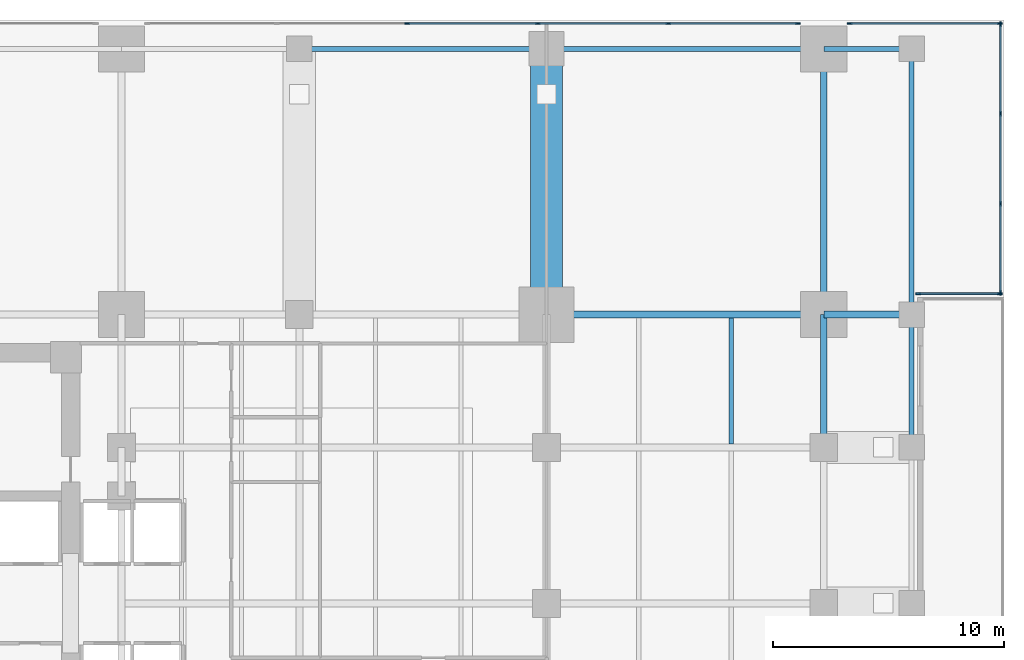
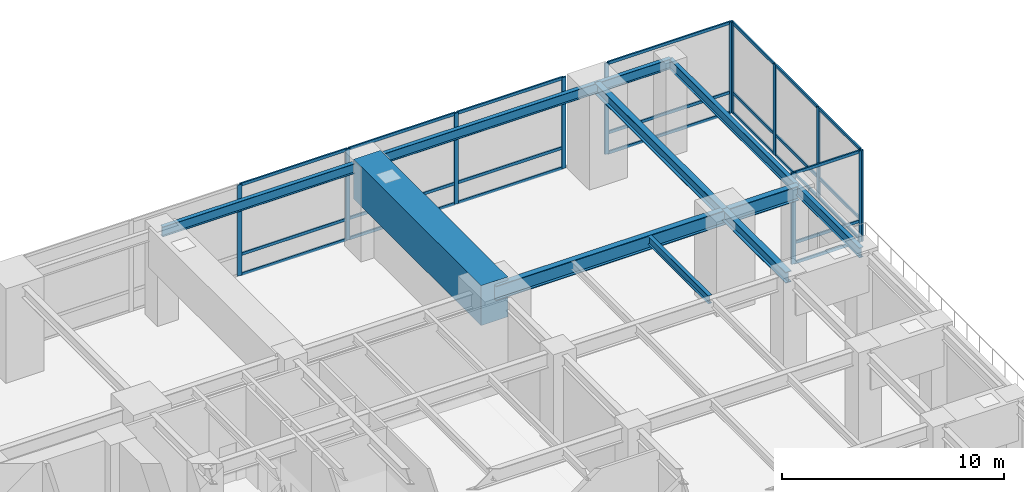
# One storey, part 6 of 14: 36 members, 11 beams, 4 elements without a shape of their own.
"""IFC4 building model written with IfcOpenShell, lengths in metres."""

from ifc_helpers import new_model, si_unit, direction, frame, origin, origin_2d, place, context, subcontext, project, spatial, rectangle, i_section, extrude, material, layer, layer_set, material_profile, profile_set, type_object, element, aggregate, save


model = new_model("IFC4")

# Units and contexts
model_context = context("Model", 3, precision=1e-05, world=origin(), true_north=direction((0.0, 1.0)))
body_context = subcontext(model_context, "Body", "Model", "MODEL_VIEW")
ifc_project = project(units=[si_unit("LENGTHUNIT", "METRE"), si_unit("AREAUNIT", "SQUARE_METRE"), si_unit("VOLUMEUNIT", "CUBIC_METRE"), si_unit("PLANEANGLEUNIT", "RADIAN"), si_unit("MASSUNIT", "GRAM", prefix="KILO")], contexts=[model_context])

# Site, building, storey
site_placement = place(None, origin())
site = spatial("IfcSite", under=ifc_project, at=site_placement, CompositionType="ELEMENT")
building_placement = place(site_placement, origin())
building = spatial("IfcBuilding", under=site, at=building_placement, Name="Kinhvarn Gate Tower", CompositionType="ELEMENT")
storey_placement = place(building_placement, frame((0.0, 0.0, 20.39990234375)))
storey = spatial("IfcBuildingStorey", under=building, at=storey_placement, Name="L04", CompositionType="ELEMENT", Elevation=20.39990234375)

# Beam
ifc_material_1 = material(Name="Concrete C60/75", Category="concrete")
ifc_material_profile_1 = material_profile(ifc_material_1, rectangle(XDim=1.39990234375, YDim=2.199951171875, at=origin_2d()), Name="RC 1400x2200")
ifc_profile_set_1 = profile_set([ifc_material_profile_1], Name="Concrete C60/75")
beam_type_1 = type_object("IfcBeamType", Name="BM-TG-2200", PredefinedType="BEAM", material=ifc_profile_set_1)
beam_1_placement = place(storey_placement, frame((38.199951171875, 37.75, 4.10009765625), z_axis=(0.0, 1.0, 0.0), x_axis=(-1.0, 0.0, 0.0)))
element("IfcBeam", 1, at=beam_1_placement, inside=storey, type_object=beam_type_1, Name="Setback Transfer Girder TG-02-L05-CN-2", PredefinedType="BEAM", context=body_context, shape_type="SweptSolid", body=[
    extrude(rectangle(XDim=1.39990234375, YDim=2.199951171875, at=origin_2d()), origin(), (0.0, 0.0, 1.0), 11.5),
])

# Curtain wall, members
ifc_material_2 = material(Name="Anodised aluminium AW-6063", Category="aluminium")
ifc_layer = layer(ifc_material_2, 0.219970703125)
ifc_layer_set = layer_set([ifc_layer], Name="Anodised aluminium AW-6063")
curtain_wall_type = type_object("IfcCurtainWallType", Name="CW-SYS-1", PredefinedType="NOTDEFINED", material=ifc_layer_set)
curtain_wall_1_placement = place(storey_placement, origin())
curtain_wall_1 = element("IfcCurtainWall", 2, at=curtain_wall_1_placement, inside=storey, type_object=curtain_wall_type, Name="Curtain Wall CW1 (L04)", PredefinedType="NOTDEFINED")
ifc_material_profile_2 = material_profile(ifc_material_2, rectangle(XDim=0.080078125, YDim=0.219970703125, at=origin_2d()), Name="ALU 80x220")
ifc_profile_set_2 = profile_set([ifc_material_profile_2], Name="Anodised aluminium AW-6063")
member_type_1 = type_object("IfcMemberType", Name="CW-MUL-220", PredefinedType="MULLION", material=ifc_profile_set_2)
member_1_placement = place(storey_placement, frame((54.2900390625, 38.64990234375, 0.0), z_axis=(0.0, 0.0, 1.0), x_axis=(0.0, 1.0, 0.0)))
member_1 = element("IfcMember", 3, at=member_1_placement, type_object=member_type_1, Name="CW1 mullion 1", PredefinedType="MULLION", context=body_context, shape_type="SweptSolid", body=[
    extrude(rectangle(XDim=0.080078125, YDim=0.219970703125, at=origin_2d()), origin(), (0.0, 0.0, 1.0), 5.02001953125),
])
member_2_placement = place(storey_placement, frame((57.81005859375, 38.64990234375, 0.0), z_axis=(0.0, 0.0, 1.0), x_axis=(0.0, 1.0, 0.0)))
member_2 = element("IfcMember", 4, at=member_2_placement, type_object=member_type_1, Name="CW1 mullion 2", PredefinedType="MULLION", context=body_context, shape_type="SweptSolid", body=[
    extrude(rectangle(XDim=0.080078125, YDim=0.219970703125, at=origin_2d()), origin(), (0.0, 0.0, 1.0), 5.02001953125),
])

curtain_wall_2_placement = place(storey_placement, origin())
curtain_wall_2 = element("IfcCurtainWall", 5, at=curtain_wall_2_placement, inside=storey, type_object=curtain_wall_type, Name="Curtain Wall CW1 (L04)", PredefinedType="NOTDEFINED")
member_3_placement = place(storey_placement, frame((57.85009765625, 38.68994140625, 0.0), z_axis=(0.0, 0.0, 1.0), x_axis=(-1.0, 0.0, 0.0)))
member_3 = element("IfcMember", 6, at=member_3_placement, type_object=member_type_1, Name="CW1 mullion 1", PredefinedType="MULLION", context=body_context, shape_type="SweptSolid", body=[
    extrude(rectangle(XDim=0.080078125, YDim=0.219970703125, at=origin_2d()), origin(), (0.0, 0.0, 1.0), 5.02001953125),
])
member_4_placement = place(storey_placement, frame((57.85009765625, 42.550048828125, 0.0), z_axis=(0.0, 0.0, 1.0), x_axis=(-1.0, 0.0, 0.0)))
member_4 = element("IfcMember", 7, at=member_4_placement, type_object=member_type_1, Name="CW1 mullion 2", PredefinedType="MULLION", context=body_context, shape_type="SweptSolid", body=[
    extrude(rectangle(XDim=0.080078125, YDim=0.219970703125, at=origin_2d()), origin(), (0.0, 0.0, 1.0), 5.02001953125),
])
member_5_placement = place(storey_placement, frame((57.85009765625, 46.449951171875, 0.0), z_axis=(0.0, 0.0, 1.0), x_axis=(-1.0, 0.0, 0.0)))
member_5 = element("IfcMember", 8, at=member_5_placement, type_object=member_type_1, Name="CW1 mullion 3", PredefinedType="MULLION", context=body_context, shape_type="SweptSolid", body=[
    extrude(rectangle(XDim=0.080078125, YDim=0.219970703125, at=origin_2d()), origin(), (0.0, 0.0, 1.0), 5.02001953125),
])
member_6_placement = place(storey_placement, frame((57.85009765625, 50.31005859375, 0.0), z_axis=(0.0, 0.0, 1.0), x_axis=(-1.0, 0.0, 0.0)))
member_6 = element("IfcMember", 9, at=member_6_placement, type_object=member_type_1, Name="CW1 mullion 4", PredefinedType="MULLION", context=body_context, shape_type="SweptSolid", body=[
    extrude(rectangle(XDim=0.080078125, YDim=0.219970703125, at=origin_2d()), origin(), (0.0, 0.0, 1.0), 5.02001953125),
])

curtain_wall_3_placement = place(storey_placement, origin())
curtain_wall_3 = element("IfcCurtainWall", 10, at=curtain_wall_3_placement, inside=storey, type_object=curtain_wall_type, Name="Curtain Wall CW1 (L04)", PredefinedType="NOTDEFINED")
member_7_placement = place(storey_placement, frame((57.81005859375, 50.35009765625, 0.0), z_axis=(0.0, 0.0, 1.0), x_axis=(0.0, -1.0, 0.0)))
member_7 = element("IfcMember", 11, at=member_7_placement, type_object=member_type_1, Name="CW1 mullion 1", PredefinedType="MULLION", context=body_context, shape_type="SweptSolid", body=[
    extrude(rectangle(XDim=0.080078125, YDim=0.219970703125, at=origin_2d()), origin(), (0.0, 0.0, 1.0), 5.02001953125),
])
member_8_placement = place(storey_placement, frame((51.320068359375, 50.35009765625, 0.0), z_axis=(0.0, 0.0, 1.0), x_axis=(0.0, -1.0, 0.0)))
member_8 = element("IfcMember", 12, at=member_8_placement, type_object=member_type_1, Name="CW1 mullion 2", PredefinedType="MULLION", context=body_context, shape_type="SweptSolid", body=[
    extrude(rectangle(XDim=0.080078125, YDim=0.219970703125, at=origin_2d()), origin(), (0.0, 0.0, 1.0), 5.02001953125),
])

curtain_wall_4_placement = place(storey_placement, origin())
curtain_wall_4 = element("IfcCurtainWall", 13, at=curtain_wall_4_placement, inside=storey, type_object=curtain_wall_type, Name="Curtain Wall CW1 (L04)", PredefinedType="NOTDEFINED")
member_9_placement = place(storey_placement, frame((49.080078125, 50.35009765625, 0.0), z_axis=(0.0, 0.0, 1.0), x_axis=(0.0, -1.0, 0.0)))
member_9 = element("IfcMember", 14, at=member_9_placement, type_object=member_type_1, Name="CW1 mullion 1", PredefinedType="MULLION", context=body_context, shape_type="SweptSolid", body=[
    extrude(rectangle(XDim=0.080078125, YDim=0.219970703125, at=origin_2d()), origin(), (0.0, 0.0, 1.0), 5.02001953125),
])
member_10_placement = place(storey_placement, frame((43.471923828125, 50.35009765625, 0.0), z_axis=(0.0, 0.0, 1.0), x_axis=(0.0, -1.0, 0.0)))
member_10 = element("IfcMember", 15, at=member_10_placement, type_object=member_type_1, Name="CW1 mullion 2", PredefinedType="MULLION", context=body_context, shape_type="SweptSolid", body=[
    extrude(rectangle(XDim=0.080078125, YDim=0.219970703125, at=origin_2d()), origin(), (0.0, 0.0, 1.0), 5.02001953125),
])
member_11_placement = place(storey_placement, frame((37.823974609375, 50.35009765625, 0.0), z_axis=(0.0, 0.0, 1.0), x_axis=(0.0, -1.0, 0.0)))
member_11 = element("IfcMember", 16, at=member_11_placement, type_object=member_type_1, Name="CW1 mullion 3", PredefinedType="MULLION", context=body_context, shape_type="SweptSolid", body=[
    extrude(rectangle(XDim=0.080078125, YDim=0.219970703125, at=origin_2d()), origin(), (0.0, 0.0, 1.0), 5.02001953125),
])
member_12_placement = place(storey_placement, frame((32.176025390625, 50.35009765625, 0.0), z_axis=(0.0, 0.0, 1.0), x_axis=(0.0, -1.0, 0.0)))
member_12 = element("IfcMember", 17, at=member_12_placement, type_object=member_type_1, Name="CW1 mullion 4", PredefinedType="MULLION", context=body_context, shape_type="SweptSolid", body=[
    extrude(rectangle(XDim=0.080078125, YDim=0.219970703125, at=origin_2d()), origin(), (0.0, 0.0, 1.0), 5.02001953125),
])

# Member
ifc_material_profile_3 = material_profile(ifc_material_2, rectangle(XDim=0.080078125, YDim=0.159912109375, at=origin_2d()), Name="ALU 80x160")
ifc_profile_set_3 = profile_set([ifc_material_profile_3], Name="Anodised aluminium AW-6063")
member_type_2 = type_object("IfcMemberType", Name="CW-TRN-160", PredefinedType="USERDEFINED", material=ifc_profile_set_3)
member_13_placement = place(storey_placement, frame((54.330078125, 38.64990234375, 0.0400390625), z_axis=(1.0, 0.0, 0.0), x_axis=(0.0, 1.0, 0.0)))
member_13 = element("IfcMember", 18, at=member_13_placement, type_object=member_type_2, Name="CW1 transom 1.1", ObjectType="TRANSOM", PredefinedType="USERDEFINED", context=body_context, shape_type="SweptSolid", body=[
    extrude(rectangle(XDim=0.080078125, YDim=0.159912109375, at=origin_2d()), origin(), (0.0, 0.0, 1.0), 3.43994140625),
])

member_14_placement = place(storey_placement, frame((54.330078125, 38.64990234375, 1.150146484375), z_axis=(1.0, 0.0, 0.0), x_axis=(0.0, 1.0, 0.0)))
member_14 = element("IfcMember", 19, at=member_14_placement, type_object=member_type_2, Name="CW1 transom 1.2", ObjectType="TRANSOM", PredefinedType="USERDEFINED", context=body_context, shape_type="SweptSolid", body=[
    extrude(rectangle(XDim=0.080078125, YDim=0.159912109375, at=origin_2d()), origin(), (0.0, 0.0, 1.0), 3.43994140625),
])

member_15_placement = place(storey_placement, frame((54.330078125, 38.64990234375, 4.97998046875), z_axis=(1.0, 0.0, 0.0), x_axis=(0.0, 1.0, 0.0)))
member_15 = element("IfcMember", 20, at=member_15_placement, type_object=member_type_2, Name="CW1 transom 1.3", ObjectType="TRANSOM", PredefinedType="USERDEFINED", context=body_context, shape_type="SweptSolid", body=[
    extrude(rectangle(XDim=0.080078125, YDim=0.159912109375, at=origin_2d()), origin(), (0.0, 0.0, 1.0), 3.43994140625),
])

aggregate(curtain_wall_1, [member_1, member_2, member_13, member_14, member_15])

member_16_placement = place(storey_placement, frame((57.85009765625, 38.72998046875, 0.0400390625), z_axis=(0.0, 1.0, 0.0), x_axis=(-1.0, 0.0, 0.0)))
member_16 = element("IfcMember", 21, at=member_16_placement, type_object=member_type_2, Name="CW1 transom 1.1", ObjectType="TRANSOM", PredefinedType="USERDEFINED", context=body_context, shape_type="SweptSolid", body=[
    extrude(rectangle(XDim=0.080078125, YDim=0.159912109375, at=origin_2d()), origin(), (0.0, 0.0, 1.0), 3.780029296875),
])

member_17_placement = place(storey_placement, frame((57.85009765625, 38.72998046875, 1.150146484375), z_axis=(0.0, 1.0, 0.0), x_axis=(-1.0, 0.0, 0.0)))
member_17 = element("IfcMember", 22, at=member_17_placement, type_object=member_type_2, Name="CW1 transom 1.2", ObjectType="TRANSOM", PredefinedType="USERDEFINED", context=body_context, shape_type="SweptSolid", body=[
    extrude(rectangle(XDim=0.080078125, YDim=0.159912109375, at=origin_2d()), origin(), (0.0, 0.0, 1.0), 3.780029296875),
])

member_18_placement = place(storey_placement, frame((57.85009765625, 38.72998046875, 4.97998046875), z_axis=(0.0, 1.0, 0.0), x_axis=(-1.0, 0.0, 0.0)))
member_18 = element("IfcMember", 23, at=member_18_placement, type_object=member_type_2, Name="CW1 transom 1.3", ObjectType="TRANSOM", PredefinedType="USERDEFINED", context=body_context, shape_type="SweptSolid", body=[
    extrude(rectangle(XDim=0.080078125, YDim=0.159912109375, at=origin_2d()), origin(), (0.0, 0.0, 1.0), 3.780029296875),
])

member_19_placement = place(storey_placement, frame((57.85009765625, 42.590087890625, 0.0400390625), z_axis=(0.0, 1.0, 0.0), x_axis=(-1.0, 0.0, 0.0)))
member_19 = element("IfcMember", 24, at=member_19_placement, type_object=member_type_2, Name="CW1 transom 2.1", ObjectType="TRANSOM", PredefinedType="USERDEFINED", context=body_context, shape_type="SweptSolid", body=[
    extrude(rectangle(XDim=0.080078125, YDim=0.159912109375, at=origin_2d()), origin(), (0.0, 0.0, 1.0), 3.81982421875),
])

member_20_placement = place(storey_placement, frame((57.85009765625, 42.590087890625, 1.150146484375), z_axis=(0.0, 1.0, 0.0), x_axis=(-1.0, 0.0, 0.0)))
member_20 = element("IfcMember", 25, at=member_20_placement, type_object=member_type_2, Name="CW1 transom 2.2", ObjectType="TRANSOM", PredefinedType="USERDEFINED", context=body_context, shape_type="SweptSolid", body=[
    extrude(rectangle(XDim=0.080078125, YDim=0.159912109375, at=origin_2d()), origin(), (0.0, 0.0, 1.0), 3.81982421875),
])

member_21_placement = place(storey_placement, frame((57.85009765625, 42.590087890625, 4.97998046875), z_axis=(0.0, 1.0, 0.0), x_axis=(-1.0, 0.0, 0.0)))
member_21 = element("IfcMember", 26, at=member_21_placement, type_object=member_type_2, Name="CW1 transom 2.3", ObjectType="TRANSOM", PredefinedType="USERDEFINED", context=body_context, shape_type="SweptSolid", body=[
    extrude(rectangle(XDim=0.080078125, YDim=0.159912109375, at=origin_2d()), origin(), (0.0, 0.0, 1.0), 3.81982421875),
])

member_22_placement = place(storey_placement, frame((57.85009765625, 46.489990234375, 0.0400390625), z_axis=(0.0, 1.0, 0.0), x_axis=(-1.0, 0.0, 0.0)))
member_22 = element("IfcMember", 27, at=member_22_placement, type_object=member_type_2, Name="CW1 transom 3.1", ObjectType="TRANSOM", PredefinedType="USERDEFINED", context=body_context, shape_type="SweptSolid", body=[
    extrude(rectangle(XDim=0.080078125, YDim=0.159912109375, at=origin_2d()), origin(), (0.0, 0.0, 1.0), 3.780029296875),
])

member_23_placement = place(storey_placement, frame((57.85009765625, 46.489990234375, 1.150146484375), z_axis=(0.0, 1.0, 0.0), x_axis=(-1.0, 0.0, 0.0)))
member_23 = element("IfcMember", 28, at=member_23_placement, type_object=member_type_2, Name="CW1 transom 3.2", ObjectType="TRANSOM", PredefinedType="USERDEFINED", context=body_context, shape_type="SweptSolid", body=[
    extrude(rectangle(XDim=0.080078125, YDim=0.159912109375, at=origin_2d()), origin(), (0.0, 0.0, 1.0), 3.780029296875),
])

member_24_placement = place(storey_placement, frame((57.85009765625, 46.489990234375, 4.97998046875), z_axis=(0.0, 1.0, 0.0), x_axis=(-1.0, 0.0, 0.0)))
member_24 = element("IfcMember", 29, at=member_24_placement, type_object=member_type_2, Name="CW1 transom 3.3", ObjectType="TRANSOM", PredefinedType="USERDEFINED", context=body_context, shape_type="SweptSolid", body=[
    extrude(rectangle(XDim=0.080078125, YDim=0.159912109375, at=origin_2d()), origin(), (0.0, 0.0, 1.0), 3.780029296875),
])

aggregate(curtain_wall_2, [member_3, member_4, member_5, member_6, member_16, member_17, member_18, member_19, member_20, member_21, member_22, member_23, member_24])

member_25_placement = place(storey_placement, frame((57.77001953125, 50.35009765625, 0.0400390625), z_axis=(-1.0, 0.0, 0.0), x_axis=(0.0, -1.0, 0.0)))
member_25 = element("IfcMember", 30, at=member_25_placement, type_object=member_type_2, Name="CW1 transom 1.1", ObjectType="TRANSOM", PredefinedType="USERDEFINED", context=body_context, shape_type="SweptSolid", body=[
    extrude(rectangle(XDim=0.080078125, YDim=0.159912109375, at=origin_2d()), origin(), (0.0, 0.0, 1.0), 6.409912109375),
])

member_26_placement = place(storey_placement, frame((57.77001953125, 50.35009765625, 1.150146484375), z_axis=(-1.0, 0.0, 0.0), x_axis=(0.0, -1.0, 0.0)))
member_26 = element("IfcMember", 31, at=member_26_placement, type_object=member_type_2, Name="CW1 transom 1.2", ObjectType="TRANSOM", PredefinedType="USERDEFINED", context=body_context, shape_type="SweptSolid", body=[
    extrude(rectangle(XDim=0.080078125, YDim=0.159912109375, at=origin_2d()), origin(), (0.0, 0.0, 1.0), 6.409912109375),
])

member_27_placement = place(storey_placement, frame((57.77001953125, 50.35009765625, 4.97998046875), z_axis=(-1.0, 0.0, 0.0), x_axis=(0.0, -1.0, 0.0)))
member_27 = element("IfcMember", 32, at=member_27_placement, type_object=member_type_2, Name="CW1 transom 1.3", ObjectType="TRANSOM", PredefinedType="USERDEFINED", context=body_context, shape_type="SweptSolid", body=[
    extrude(rectangle(XDim=0.080078125, YDim=0.159912109375, at=origin_2d()), origin(), (0.0, 0.0, 1.0), 6.409912109375),
])

aggregate(curtain_wall_3, [member_7, member_8, member_25, member_26, member_27])

member_28_placement = place(storey_placement, frame((49.0400390625, 50.35009765625, 0.0400390625), z_axis=(-1.0, 0.0, 0.0), x_axis=(0.0, -1.0, 0.0)))
member_28 = element("IfcMember", 33, at=member_28_placement, type_object=member_type_2, Name="CW1 transom 1.1", ObjectType="TRANSOM", PredefinedType="USERDEFINED", context=body_context, shape_type="SweptSolid", body=[
    extrude(rectangle(XDim=0.080078125, YDim=0.159912109375, at=origin_2d()), origin(), (0.0, 0.0, 1.0), 5.528076171875),
])

member_29_placement = place(storey_placement, frame((49.0400390625, 50.35009765625, 1.150146484375), z_axis=(-1.0, 0.0, 0.0), x_axis=(0.0, -1.0, 0.0)))
member_29 = element("IfcMember", 34, at=member_29_placement, type_object=member_type_2, Name="CW1 transom 1.2", ObjectType="TRANSOM", PredefinedType="USERDEFINED", context=body_context, shape_type="SweptSolid", body=[
    extrude(rectangle(XDim=0.080078125, YDim=0.159912109375, at=origin_2d()), origin(), (0.0, 0.0, 1.0), 5.528076171875),
])

member_30_placement = place(storey_placement, frame((49.0400390625, 50.35009765625, 4.97998046875), z_axis=(-1.0, 0.0, 0.0), x_axis=(0.0, -1.0, 0.0)))
member_30 = element("IfcMember", 35, at=member_30_placement, type_object=member_type_2, Name="CW1 transom 1.3", ObjectType="TRANSOM", PredefinedType="USERDEFINED", context=body_context, shape_type="SweptSolid", body=[
    extrude(rectangle(XDim=0.080078125, YDim=0.159912109375, at=origin_2d()), origin(), (0.0, 0.0, 1.0), 5.528076171875),
])

member_31_placement = place(storey_placement, frame((43.431884765625, 50.35009765625, 0.0400390625), z_axis=(-1.0, 0.0, 0.0), x_axis=(0.0, -1.0, 0.0)))
member_31 = element("IfcMember", 36, at=member_31_placement, type_object=member_type_2, Name="CW1 transom 2.1", ObjectType="TRANSOM", PredefinedType="USERDEFINED", context=body_context, shape_type="SweptSolid", body=[
    extrude(rectangle(XDim=0.080078125, YDim=0.159912109375, at=origin_2d()), origin(), (0.0, 0.0, 1.0), 5.56787109375),
])

member_32_placement = place(storey_placement, frame((43.431884765625, 50.35009765625, 1.150146484375), z_axis=(-1.0, 0.0, 0.0), x_axis=(0.0, -1.0, 0.0)))
member_32 = element("IfcMember", 37, at=member_32_placement, type_object=member_type_2, Name="CW1 transom 2.2", ObjectType="TRANSOM", PredefinedType="USERDEFINED", context=body_context, shape_type="SweptSolid", body=[
    extrude(rectangle(XDim=0.080078125, YDim=0.159912109375, at=origin_2d()), origin(), (0.0, 0.0, 1.0), 5.56787109375),
])

member_33_placement = place(storey_placement, frame((43.431884765625, 50.35009765625, 4.97998046875), z_axis=(-1.0, 0.0, 0.0), x_axis=(0.0, -1.0, 0.0)))
member_33 = element("IfcMember", 38, at=member_33_placement, type_object=member_type_2, Name="CW1 transom 2.3", ObjectType="TRANSOM", PredefinedType="USERDEFINED", context=body_context, shape_type="SweptSolid", body=[
    extrude(rectangle(XDim=0.080078125, YDim=0.159912109375, at=origin_2d()), origin(), (0.0, 0.0, 1.0), 5.56787109375),
])

member_34_placement = place(storey_placement, frame((37.783935546875, 50.35009765625, 0.0400390625), z_axis=(-1.0, 0.0, 0.0), x_axis=(0.0, -1.0, 0.0)))
member_34 = element("IfcMember", 39, at=member_34_placement, type_object=member_type_2, Name="CW1 transom 3.1", ObjectType="TRANSOM", PredefinedType="USERDEFINED", context=body_context, shape_type="SweptSolid", body=[
    extrude(rectangle(XDim=0.080078125, YDim=0.159912109375, at=origin_2d()), origin(), (0.0, 0.0, 1.0), 5.56787109375),
])

member_35_placement = place(storey_placement, frame((37.783935546875, 50.35009765625, 1.150146484375), z_axis=(-1.0, 0.0, 0.0), x_axis=(0.0, -1.0, 0.0)))
member_35 = element("IfcMember", 40, at=member_35_placement, type_object=member_type_2, Name="CW1 transom 3.2", ObjectType="TRANSOM", PredefinedType="USERDEFINED", context=body_context, shape_type="SweptSolid", body=[
    extrude(rectangle(XDim=0.080078125, YDim=0.159912109375, at=origin_2d()), origin(), (0.0, 0.0, 1.0), 5.56787109375),
])

member_36_placement = place(storey_placement, frame((37.783935546875, 50.35009765625, 4.97998046875), z_axis=(-1.0, 0.0, 0.0), x_axis=(0.0, -1.0, 0.0)))
member_36 = element("IfcMember", 41, at=member_36_placement, type_object=member_type_2, Name="CW1 transom 3.3", ObjectType="TRANSOM", PredefinedType="USERDEFINED", context=body_context, shape_type="SweptSolid", body=[
    extrude(rectangle(XDim=0.080078125, YDim=0.159912109375, at=origin_2d()), origin(), (0.0, 0.0, 1.0), 5.56787109375),
])

aggregate(curtain_wall_4, [member_9, member_10, member_11, member_12, member_28, member_29, member_30, member_31, member_32, member_33, member_34, member_35, member_36])

# Beams
ifc_material_3 = material(Name="Steel S355", Category="steel")
ifc_material_profile_4 = material_profile(ifc_material_3, i_section(OverallWidth=0.300048828125, OverallDepth=0.60009765625, WebThickness=0.015380859375, FlangeThickness=0.030029296875, at=origin_2d()), Name="HEB 600")
ifc_profile_set_4 = profile_set([ifc_material_profile_4], Name="Steel S355")
beam_type_2 = type_object("IfcBeamType", Name="STL-HEB600", PredefinedType="BEAM", material=ifc_profile_set_4)
beam_2_placement = place(storey_placement, frame((50.199951171875, 32.0, 4.72021484375), z_axis=(0.0, 1.0, 0.0), x_axis=(-1.0, 0.0, 0.0)))
element("IfcBeam", 42, at=beam_2_placement, inside=storey, type_object=beam_type_2, Name="Floor Beam PG-16 (L04 APE-5)", PredefinedType="BEAM", context=body_context, shape_type="SweptSolid", body=[
    extrude(i_section(OverallWidth=0.300048828125, OverallDepth=0.60009765625, WebThickness=0.015380859375, FlangeThickness=0.030029296875, at=origin_2d()), origin(), (0.0, 0.0, 1.0), 5.75),
])
beam_3_placement = place(storey_placement, frame((50.199951171875, 37.75, 4.72021484375), z_axis=(0.0, 1.0, 0.0), x_axis=(-1.0, 0.0, 0.0)))
element("IfcBeam", 43, at=beam_3_placement, inside=storey, type_object=beam_type_2, Name="Floor Beam PG-16 (L04 APE-6)", PredefinedType="BEAM", context=body_context, shape_type="SweptSolid", body=[
    extrude(i_section(OverallWidth=0.300048828125, OverallDepth=0.60009765625, WebThickness=0.015380859375, FlangeThickness=0.030029296875, at=origin_2d()), origin(), (0.0, 0.0, 1.0), 11.5),
])
ifc_material_profile_5 = material_profile(ifc_material_3, i_section(OverallWidth=0.300048828125, OverallDepth=0.800048828125, WebThickness=0.017578125, FlangeThickness=0.032958984375, at=origin_2d()), Name="HEB 800")
ifc_profile_set_5 = profile_set([ifc_material_profile_5], Name="Steel S355")
beam_type_3 = type_object("IfcBeamType", Name="STL-HEB800", PredefinedType="BEAM", material=ifc_profile_set_5)
beam_4_placement = place(storey_placement, frame((50.199951171875, 37.75, 4.6201171875), z_axis=(1.0, 0.0, 0.0), x_axis=(0.0, 1.0, 0.0)))
element("IfcBeam", 44, at=beam_4_placement, inside=storey, type_object=beam_type_3, Name="Floor Beam PG-19 (L04 SPN-E)", PredefinedType="BEAM", context=body_context, shape_type="SweptSolid", body=[
    extrude(i_section(OverallWidth=0.300048828125, OverallDepth=0.800048828125, WebThickness=0.017578125, FlangeThickness=0.032958984375, at=origin_2d()), origin(), (0.0, 0.0, 1.0), 3.800048828125),
])
beam_5_placement = place(storey_placement, frame((38.199951171875, 37.75, 4.6201171875), z_axis=(1.0, 0.0, 0.0), x_axis=(0.0, 1.0, 0.0)))
element("IfcBeam", 45, at=beam_5_placement, inside=storey, type_object=beam_type_3, Name="Floor Beam PG-19 (L04 BM-N3)", PredefinedType="BEAM", context=body_context, shape_type="SweptSolid", body=[
    extrude(i_section(OverallWidth=0.300048828125, OverallDepth=0.800048828125, WebThickness=0.017578125, FlangeThickness=0.032958984375, at=origin_2d()), origin(), (0.0, 0.0, 1.0), 12.0),
])
ifc_material_profile_6 = material_profile(ifc_material_3, i_section(OverallWidth=0.18994140625, OverallDepth=0.449951171875, WebThickness=0.009521484375, FlangeThickness=0.0146484375, at=origin_2d()), Name="IPE 450")
ifc_profile_set_6 = profile_set([ifc_material_profile_6], Name="Steel S355")
beam_type_4 = type_object("IfcBeamType", Name="STL-IPE450", PredefinedType="JOIST", material=ifc_profile_set_6)
beam_6_placement = place(storey_placement, frame((46.199951171875, 32.14990234375, 4.795166015625), z_axis=(0.0, 1.0, 0.0), x_axis=(-1.0, 0.0, 0.0)))
element("IfcBeam", 46, at=beam_6_placement, inside=storey, type_object=beam_type_4, Name="Floor Joist SB-06 (L04 J462-32)", PredefinedType="JOIST", context=body_context, shape_type="SweptSolid", body=[
    extrude(i_section(OverallWidth=0.18994140625, OverallDepth=0.449951171875, WebThickness=0.009521484375, FlangeThickness=0.0146484375, at=origin_2d()), origin(), (0.0, 0.0, 1.0), 5.4501953125),
])
ifc_material_profile_7 = material_profile(ifc_material_3, i_section(OverallWidth=0.2099609375, OverallDepth=0.550048828125, WebThickness=0.010986328125, FlangeThickness=0.01708984375, at=origin_2d()), Name="IPE 550")
ifc_profile_set_7 = profile_set([ifc_material_profile_7], Name="Steel S355")
beam_type_5 = type_object("IfcBeamType", Name="STL-IPE550", PredefinedType="SPANDREL", material=ifc_profile_set_7)
beam_7_placement = place(storey_placement, frame((54.0, 32.0, 4.7451171875), z_axis=(0.0, 1.0, 0.0), x_axis=(-1.0, 0.0, 0.0)))
element("IfcBeam", 47, at=beam_7_placement, inside=storey, type_object=beam_type_5, Name="Floor Spandrel SB-08 (L04 PERE-5)", PredefinedType="SPANDREL", context=body_context, shape_type="SweptSolid", body=[
    extrude(i_section(OverallWidth=0.2099609375, OverallDepth=0.550048828125, WebThickness=0.010986328125, FlangeThickness=0.01708984375, at=origin_2d()), origin(), (0.0, 0.0, 1.0), 5.75),
])
beam_8_placement = place(storey_placement, frame((54.0, 37.75, 4.7451171875), z_axis=(0.0, 1.0, 0.0), x_axis=(-1.0, 0.0, 0.0)))
element("IfcBeam", 48, at=beam_8_placement, inside=storey, type_object=beam_type_5, Name="Floor Spandrel SB-08 (L04 PERE-6)", PredefinedType="SPANDREL", context=body_context, shape_type="SweptSolid", body=[
    extrude(i_section(OverallWidth=0.2099609375, OverallDepth=0.550048828125, WebThickness=0.010986328125, FlangeThickness=0.01708984375, at=origin_2d()), origin(), (0.0, 0.0, 1.0), 11.5),
])
beam_9_placement = place(storey_placement, frame((50.199951171875, 49.25, 4.7451171875), z_axis=(1.0, 0.0, 0.0), x_axis=(0.0, 1.0, 0.0)))
element("IfcBeam", 49, at=beam_9_placement, inside=storey, type_object=beam_type_5, Name="Floor Spandrel SB-08 (L04 SP-POD-NE)", PredefinedType="SPANDREL", context=body_context, shape_type="SweptSolid", body=[
    extrude(i_section(OverallWidth=0.2099609375, OverallDepth=0.550048828125, WebThickness=0.010986328125, FlangeThickness=0.01708984375, at=origin_2d()), origin(), (0.0, 0.0, 1.0), 3.800048828125),
])
beam_10_placement = place(storey_placement, frame((27.5, 49.25, 4.7451171875), z_axis=(1.0, 0.0, 0.0), x_axis=(0.0, 1.0, 0.0)))
element("IfcBeam", 50, at=beam_10_placement, inside=storey, type_object=beam_type_5, Name="Floor Spandrel SB-08 (L04 BN-SP2)", PredefinedType="SPANDREL", context=body_context, shape_type="SweptSolid", body=[
    extrude(i_section(OverallWidth=0.2099609375, OverallDepth=0.550048828125, WebThickness=0.010986328125, FlangeThickness=0.01708984375, at=origin_2d()), origin(), (0.0, 0.0, 1.0), 10.699951171875),
])
beam_11_placement = place(storey_placement, frame((38.199951171875, 49.25, 4.7451171875), z_axis=(1.0, 0.0, 0.0), x_axis=(0.0, 1.0, 0.0)))
element("IfcBeam", 51, at=beam_11_placement, inside=storey, type_object=beam_type_5, Name="Floor Spandrel SB-08 (L04 BN-SP3)", PredefinedType="SPANDREL", context=body_context, shape_type="SweptSolid", body=[
    extrude(i_section(OverallWidth=0.2099609375, OverallDepth=0.550048828125, WebThickness=0.010986328125, FlangeThickness=0.01708984375, at=origin_2d()), origin(), (0.0, 0.0, 1.0), 12.0),
])

save(model, "model.ifc")
